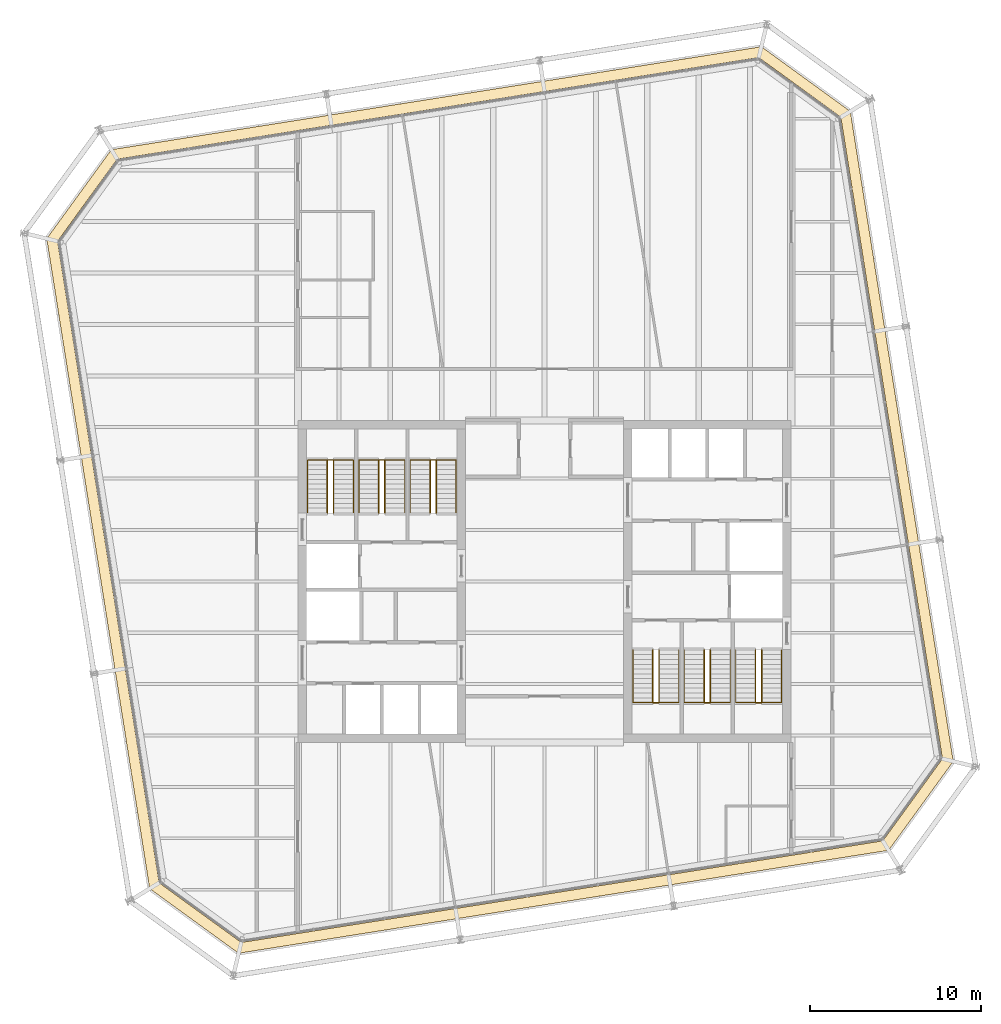
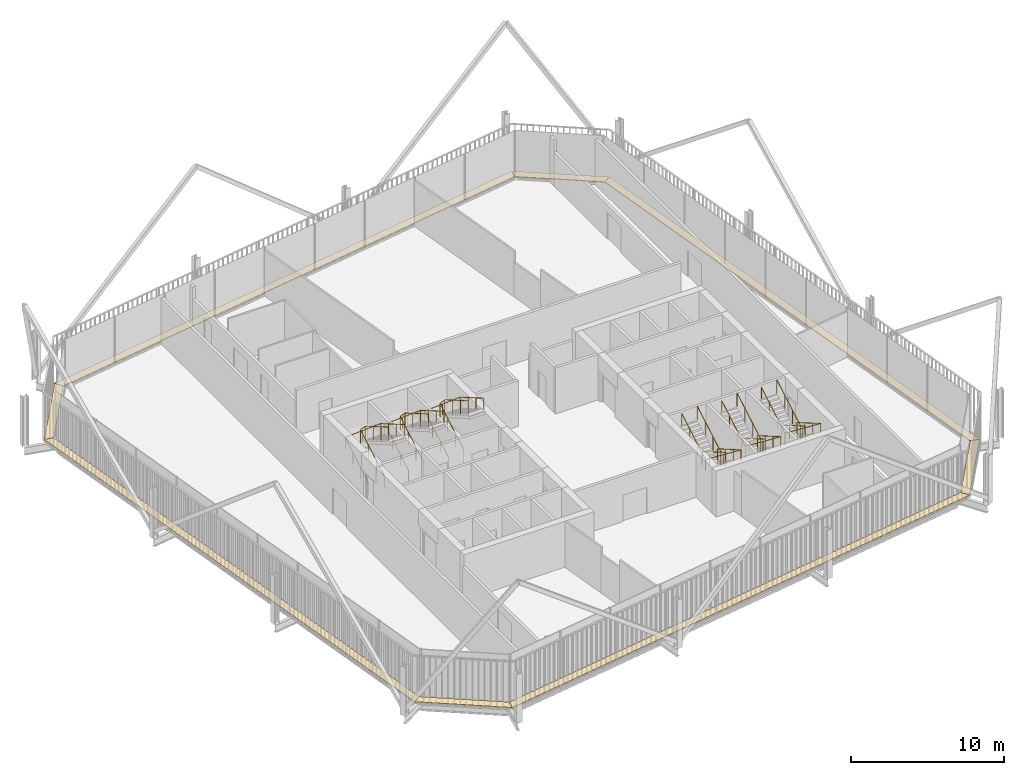
# One storey, part 21 of 21: 12 railings, 8 coverings.
"""IFC4 building model written with IfcOpenShell, lengths in metres."""

from ifc_helpers import new_model, si_unit, direction, frame, origin, origin_2d, place, context, subcontext, project, spatial, polyline, circle, outline, extrude, material, layer, layer_set, type_object, element, save


model = new_model("IFC4")

# Units and contexts
model_context = context("Model", 3, precision=1e-05, world=origin(), true_north=direction((0.0, 1.0)))
body_context = subcontext(model_context, "Body", "Model", "MODEL_VIEW")
ifc_project = project(units=[si_unit("LENGTHUNIT", "METRE"), si_unit("AREAUNIT", "SQUARE_METRE"), si_unit("VOLUMEUNIT", "CUBIC_METRE"), si_unit("PLANEANGLEUNIT", "RADIAN"), si_unit("MASSUNIT", "GRAM", prefix="KILO")], contexts=[model_context])

# Site, building, storey
site_placement = place(None, origin())
site = spatial("IfcSite", under=ifc_project, at=site_placement, CompositionType="ELEMENT")
building_placement = place(site_placement, origin())
building = spatial("IfcBuilding", under=site, at=building_placement, Name="Millrace Tower", CompositionType="ELEMENT")
storey_placement = place(building_placement, frame((0.0, 0.0, 235.89990234375)))
storey = spatial("IfcBuildingStorey", under=building, at=storey_placement, Name="L54", CompositionType="ELEMENT", Elevation=235.89990234375)

# Coverings
ifc_material_1 = material(Name="Steel ASTM A36", Category="steel")
ifc_layer = layer(ifc_material_1, 0.050048828125)
ifc_layer_set = layer_set([ifc_layer], Name="Steel ASTM A36")
covering_type = type_object("IfcCoveringType", Name="CAVITY CATWALK steel grating", PredefinedType="FLOORING", material=ifc_layer_set)
placement = place(storey_placement, frame((0.0, 0.0, 0.10009765625)))
element("IfcCovering", 1, at=placement, inside=storey, type_object=covering_type, Name="Cavity catwalk grating D-F01 L54 1", PredefinedType="FLOORING", context=body_context, shape_type="SweptSolid", body=[
    extrude(outline(polyline([(-23.052490234375, -17.939453125), (-17.85888671875, -21.712890625), (-17.707275390625, -21.081298828125), (-22.49853515625, -17.60009765625), (-23.052490234375, -17.939453125)])), origin(), (0.0, 0.0, 1.0), 0.050048828125),
])
element("IfcCovering", 2, at=placement, inside=storey, type_object=covering_type, Name="Cavity catwalk grating D-F02 L54 1", PredefinedType="FLOORING", context=body_context, shape_type="SweptSolid", body=[
    extrude(outline(polyline([(-17.85888671875, -21.712890625), (20.08935546875, -15.702392578125), (19.750244140625, -15.148681640625), (-17.707275390625, -21.081298828125), (-17.85888671875, -21.712890625)])), origin(), (0.0, 0.0, 1.0), 0.050048828125),
])
element("IfcCovering", 3, at=placement, inside=storey, type_object=covering_type, Name="Cavity catwalk grating D-F03 L54 1", PredefinedType="FLOORING", context=body_context, shape_type="SweptSolid", body=[
    extrude(outline(polyline([(20.08935546875, -15.702392578125), (23.86279296875, -10.5087890625), (23.231201171875, -10.357177734375), (19.750244140625, -15.148681640625), (20.08935546875, -15.702392578125)])), origin(), (0.0, 0.0, 1.0), 0.050048828125),
])
element("IfcCovering", 4, at=placement, inside=storey, type_object=covering_type, Name="Cavity catwalk grating D-F04 L54 1", PredefinedType="FLOORING", context=body_context, shape_type="SweptSolid", body=[
    extrude(outline(polyline([(23.86279296875, -10.5087890625), (17.852294921875, 27.439453125), (17.298583984375, 27.10009765625), (23.231201171875, -10.357177734375), (23.86279296875, -10.5087890625)])), origin(), (0.0, 0.0, 1.0), 0.050048828125),
])
element("IfcCovering", 5, at=placement, inside=storey, type_object=covering_type, Name="Cavity catwalk grating D-F05 L54 1", PredefinedType="FLOORING", context=body_context, shape_type="SweptSolid", body=[
    extrude(outline(polyline([(17.852294921875, 27.439453125), (12.658935546875, 31.212890625), (12.50732421875, 30.581298828125), (17.298583984375, 27.10009765625), (17.852294921875, 27.439453125)])), origin(), (0.0, 0.0, 1.0), 0.050048828125),
])
element("IfcCovering", 6, at=placement, inside=storey, type_object=covering_type, Name="Cavity catwalk grating D-F06 L54 1", PredefinedType="FLOORING", context=body_context, shape_type="SweptSolid", body=[
    extrude(outline(polyline([(12.658935546875, 31.212890625), (-25.28955078125, 25.202392578125), (-24.9501953125, 24.648681640625), (12.50732421875, 30.581298828125), (12.658935546875, 31.212890625)])), origin(), (0.0, 0.0, 1.0), 0.050048828125),
])
element("IfcCovering", 7, at=placement, inside=storey, type_object=covering_type, Name="Cavity catwalk grating D-F07 L54 1", PredefinedType="FLOORING", context=body_context, shape_type="SweptSolid", body=[
    extrude(outline(polyline([(-25.28955078125, 25.202392578125), (-29.062744140625, 20.0087890625), (-28.431396484375, 19.857177734375), (-24.9501953125, 24.648681640625), (-25.28955078125, 25.202392578125)])), origin(), (0.0, 0.0, 1.0), 0.050048828125),
])
element("IfcCovering", 8, at=placement, inside=storey, type_object=covering_type, Name="Cavity catwalk grating D-F08 L54 1", PredefinedType="FLOORING", context=body_context, shape_type="SweptSolid", body=[
    extrude(outline(polyline([(-29.062744140625, 20.0087890625), (-23.052490234375, -17.939453125), (-22.49853515625, -17.60009765625), (-28.431396484375, 19.857177734375), (-29.062744140625, 20.0087890625)])), origin(), (0.0, 0.0, 1.0), 0.050048828125),
])

# Railings
ifc_material_2 = material(Name="Stainless steel ASTM A240 type 316", Category="steel")
railing_type_1 = type_object("IfcRailingType", Name="Stair guard 1100", PredefinedType="GUARDRAIL", material=ifc_material_2)
for number, where, name in (
    (9, (-12.679931640625, 4.0, 0.16259765625), "Stair guard 1 W L54"),
    (10, (-9.679931640625, 4.0, 0.16259765625), "Stair guard 2 W L54"),
    (11, (-6.679931640625, 4.0, 0.16259765625), "Stair guard 3 W L54"),
):
    element("IfcRailing", number, at=place(storey_placement, frame(where)), inside=storey, type_object=railing_type_1, Name=name, PredefinedType="GUARDRAIL", context=body_context, shape_type="SweptSolid", body=[
        extrude(circle(Radius=0.02392578125, at=origin_2d()), frame((0.0, 0.0, 1.076171875), z_axis=(0.0, 0.864890721111, 0.501960198159), x_axis=(-1.0, 0.0, 0.0)), (0.0, 0.0, 1.0), 3.561279296875),
        extrude(circle(Radius=0.02392578125, at=origin_2d()), frame((0.0, 3.080078125, 2.86376953125), z_axis=(0.91152767309, 0.0, 0.411238739895), x_axis=(0.0, 1.0, 0.0)), (0.0, 0.0, 1.0), 0.394775390625),
        extrude(circle(Radius=0.02392578125, at=origin_2d()), frame((0.35986328125, 3.080078125, 3.02587890625), z_axis=(0.0, -0.864890721111, 0.501960198159), x_axis=(1.0, 0.0, 0.0)), (0.0, 0.0, 1.0), 3.561279296875),
        extrude(circle(Radius=0.02099609375, at=origin_2d()), origin(), (0.0, 0.0, 1.0), 1.052001953125),
        extrude(circle(Radius=0.02099609375, at=origin_2d()), frame((0.0, 1.026611328125, 0.595947265625)), (0.0, 0.0, 1.0), 1.052001953125),
        extrude(circle(Radius=0.02099609375, at=origin_2d()), frame((0.0, 2.053466796875, 1.191650390625)), (0.0, 0.0, 1.0), 1.052001953125),
        extrude(circle(Radius=0.02099609375, at=origin_2d()), frame((0.0, 3.080078125, 1.78759765625)), (0.0, 0.0, 1.0), 1.052001953125),
        extrude(circle(Radius=0.02099609375, at=origin_2d()), frame((0.35986328125, 3.080078125, 1.949951171875)), (0.0, 0.0, 1.0), 1.052001953125),
        extrude(circle(Radius=0.02099609375, at=origin_2d()), frame((0.35986328125, 2.053466796875, 2.5458984375)), (0.0, 0.0, 1.0), 1.052001953125),
        extrude(circle(Radius=0.02099609375, at=origin_2d()), frame((0.35986328125, 1.026611328125, 3.1416015625)), (0.0, 0.0, 1.0), 1.052001953125),
        extrude(circle(Radius=0.02099609375, at=origin_2d()), frame((0.35986328125, 0.0, 3.737548828125)), (0.0, 0.0, 1.0), 1.052001953125),
    ])
for number, where, name in (
    (12, (12.679931640625, -4.0, 0.16259765625), "Stair guard 1 E L54"),
    (13, (9.679931640625, -4.0, 0.16259765625), "Stair guard 2 E L54"),
    (14, (6.679931640625, -4.0, 0.16259765625), "Stair guard 3 E L54"),
):
    element("IfcRailing", number, at=place(storey_placement, frame(where)), inside=storey, type_object=railing_type_1, Name=name, PredefinedType="GUARDRAIL", context=body_context, shape_type="SweptSolid", body=[
        extrude(circle(Radius=0.02392578125, at=origin_2d()), frame((0.0, 0.0, 1.076171875), z_axis=(0.0, -0.864890721111, 0.501960198159), x_axis=(1.0, 0.0, 0.0)), (0.0, 0.0, 1.0), 3.561279296875),
        extrude(circle(Radius=0.02392578125, at=origin_2d()), frame((0.0, -3.080078125, 2.86376953125), z_axis=(-0.91152767309, 0.0, 0.411238739895), x_axis=(0.0, -1.0, 0.0)), (0.0, 0.0, 1.0), 0.394775390625),
        extrude(circle(Radius=0.02392578125, at=origin_2d()), frame((-0.35986328125, -3.080078125, 3.02587890625), z_axis=(0.0, 0.864890721111, 0.501960198159), x_axis=(-1.0, 0.0, 0.0)), (0.0, 0.0, 1.0), 3.561279296875),
        extrude(circle(Radius=0.02099609375, at=origin_2d()), origin(), (0.0, 0.0, 1.0), 1.052001953125),
        extrude(circle(Radius=0.02099609375, at=origin_2d()), frame((0.0, -1.026611328125, 0.595947265625)), (0.0, 0.0, 1.0), 1.052001953125),
        extrude(circle(Radius=0.02099609375, at=origin_2d()), frame((0.0, -2.053466796875, 1.191650390625)), (0.0, 0.0, 1.0), 1.052001953125),
        extrude(circle(Radius=0.02099609375, at=origin_2d()), frame((0.0, -3.080078125, 1.78759765625)), (0.0, 0.0, 1.0), 1.052001953125),
        extrude(circle(Radius=0.02099609375, at=origin_2d()), frame((-0.35986328125, -3.080078125, 1.949951171875)), (0.0, 0.0, 1.0), 1.052001953125),
        extrude(circle(Radius=0.02099609375, at=origin_2d()), frame((-0.35986328125, -2.053466796875, 2.5458984375)), (0.0, 0.0, 1.0), 1.052001953125),
        extrude(circle(Radius=0.02099609375, at=origin_2d()), frame((-0.35986328125, -1.026611328125, 3.1416015625)), (0.0, 0.0, 1.0), 1.052001953125),
        extrude(circle(Radius=0.02099609375, at=origin_2d()), frame((-0.35986328125, 0.0, 3.737548828125)), (0.0, 0.0, 1.0), 1.052001953125),
    ])
ifc_material_3 = material(Name="Stainless steel ASTM A240 type 316", Category="steel")
railing_type_2 = type_object("IfcRailingType", Name="Stair handrail 900", PredefinedType="HANDRAIL", material=ifc_material_3)
railing_1_placement = place(storey_placement, frame((-13.840087890625, 4.0, 0.16259765625)))
element("IfcRailing", 15, at=railing_1_placement, inside=storey, type_object=railing_type_2, Name="Stair handrail 1 W L54", PredefinedType="HANDRAIL", context=body_context, shape_type="SweptSolid", body=[
    extrude(circle(Radius=0.02392578125, at=origin_2d()), frame((0.0, 0.0, 0.8759765625), z_axis=(0.0, 0.864890721111, 0.501960198159), x_axis=(-1.0, 0.0, 0.0)), (0.0, 0.0, 1.0), 3.561279296875),
    extrude(circle(Radius=0.02392578125, at=origin_2d()), frame((0.0, 3.080078125, 2.66357421875), z_axis=(0.998170326313, 0.0, 0.06046486309), x_axis=(0.0, 1.0, 0.0)), (0.0, 0.0, 1.0), 2.68505859375),
    extrude(circle(Radius=0.02392578125, at=origin_2d()), frame((2.68017578125, 3.080078125, 2.82568359375), z_axis=(0.0, -0.864890721111, 0.501960198159), x_axis=(1.0, 0.0, 0.0)), (0.0, 0.0, 1.0), 3.561279296875),
    extrude(circle(Radius=0.02099609375, at=origin_2d()), origin(), (0.0, 0.0, 1.0), 0.851806640625),
    extrude(circle(Radius=0.02099609375, at=origin_2d()), frame((0.0, 1.026611328125, 0.595947265625)), (0.0, 0.0, 1.0), 0.851806640625),
    extrude(circle(Radius=0.02099609375, at=origin_2d()), frame((0.0, 2.053466796875, 1.191650390625)), (0.0, 0.0, 1.0), 0.851806640625),
    extrude(circle(Radius=0.02099609375, at=origin_2d()), frame((0.0, 3.080078125, 1.78759765625)), (0.0, 0.0, 1.0), 0.851806640625),
    extrude(circle(Radius=0.02099609375, at=origin_2d()), frame((1.340087890625, 3.080078125, 1.86865234375)), (0.0, 0.0, 1.0), 0.851806640625),
    extrude(circle(Radius=0.02099609375, at=origin_2d()), frame((2.68017578125, 3.080078125, 1.949951171875)), (0.0, 0.0, 1.0), 0.851806640625),
    extrude(circle(Radius=0.02099609375, at=origin_2d()), frame((2.68017578125, 2.053466796875, 2.5458984375)), (0.0, 0.0, 1.0), 0.851806640625),
    extrude(circle(Radius=0.02099609375, at=origin_2d()), frame((2.68017578125, 1.026611328125, 3.1416015625)), (0.0, 0.0, 1.0), 0.851806640625),
    extrude(circle(Radius=0.02099609375, at=origin_2d()), frame((2.68017578125, 0.0, 3.737548828125)), (0.0, 0.0, 1.0), 0.851806640625),
])
railing_2_placement = place(storey_placement, frame((-10.840087890625, 4.0, 0.16259765625)))
element("IfcRailing", 16, at=railing_2_placement, inside=storey, type_object=railing_type_2, Name="Stair handrail 2 W L54", PredefinedType="HANDRAIL", context=body_context, shape_type="SweptSolid", body=[
    extrude(circle(Radius=0.02392578125, at=origin_2d()), frame((0.0, 0.0, 0.8759765625), z_axis=(0.0, 0.864890721111, 0.501960198159), x_axis=(-1.0, 0.0, 0.0)), (0.0, 0.0, 1.0), 3.561279296875),
    extrude(circle(Radius=0.02392578125, at=origin_2d()), frame((0.0, 3.080078125, 2.66357421875), z_axis=(0.998170326313, 0.0, 0.06046486309), x_axis=(0.0, 1.0, 0.0)), (0.0, 0.0, 1.0), 2.68505859375),
    extrude(circle(Radius=0.02392578125, at=origin_2d()), frame((2.68017578125, 3.080078125, 2.82568359375), z_axis=(0.0, -0.864890721111, 0.501960198159), x_axis=(1.0, 0.0, 0.0)), (0.0, 0.0, 1.0), 3.561279296875),
    extrude(circle(Radius=0.02099609375, at=origin_2d()), origin(), (0.0, 0.0, 1.0), 0.851806640625),
    extrude(circle(Radius=0.02099609375, at=origin_2d()), frame((0.0, 1.026611328125, 0.595947265625)), (0.0, 0.0, 1.0), 0.851806640625),
    extrude(circle(Radius=0.02099609375, at=origin_2d()), frame((0.0, 2.053466796875, 1.191650390625)), (0.0, 0.0, 1.0), 0.851806640625),
    extrude(circle(Radius=0.02099609375, at=origin_2d()), frame((0.0, 3.080078125, 1.78759765625)), (0.0, 0.0, 1.0), 0.851806640625),
    extrude(circle(Radius=0.02099609375, at=origin_2d()), frame((1.340087890625, 3.080078125, 1.86865234375)), (0.0, 0.0, 1.0), 0.851806640625),
    extrude(circle(Radius=0.02099609375, at=origin_2d()), frame((2.68017578125, 3.080078125, 1.949951171875)), (0.0, 0.0, 1.0), 0.851806640625),
    extrude(circle(Radius=0.02099609375, at=origin_2d()), frame((2.68017578125, 2.053466796875, 2.5458984375)), (0.0, 0.0, 1.0), 0.851806640625),
    extrude(circle(Radius=0.02099609375, at=origin_2d()), frame((2.68017578125, 1.026611328125, 3.1416015625)), (0.0, 0.0, 1.0), 0.851806640625),
    extrude(circle(Radius=0.02099609375, at=origin_2d()), frame((2.68017578125, 0.0, 3.737548828125)), (0.0, 0.0, 1.0), 0.851806640625),
])
railing_3_placement = place(storey_placement, frame((-7.840087890625, 4.0, 0.16259765625)))
element("IfcRailing", 17, at=railing_3_placement, inside=storey, type_object=railing_type_2, Name="Stair handrail 3 W L54", PredefinedType="HANDRAIL", context=body_context, shape_type="SweptSolid", body=[
    extrude(circle(Radius=0.02392578125, at=origin_2d()), frame((0.0, 0.0, 0.8759765625), z_axis=(0.0, 0.864890721111, 0.501960198159), x_axis=(-1.0, 0.0, 0.0)), (0.0, 0.0, 1.0), 3.561279296875),
    extrude(circle(Radius=0.02392578125, at=origin_2d()), frame((0.0, 3.080078125, 2.66357421875), z_axis=(0.998170326313, 0.0, 0.06046486309), x_axis=(0.0, 1.0, 0.0)), (0.0, 0.0, 1.0), 2.68505859375),
    extrude(circle(Radius=0.02392578125, at=origin_2d()), frame((2.68017578125, 3.080078125, 2.82568359375), z_axis=(0.0, -0.864890721111, 0.501960198159), x_axis=(1.0, 0.0, 0.0)), (0.0, 0.0, 1.0), 3.561279296875),
    extrude(circle(Radius=0.02099609375, at=origin_2d()), origin(), (0.0, 0.0, 1.0), 0.851806640625),
    extrude(circle(Radius=0.02099609375, at=origin_2d()), frame((0.0, 1.026611328125, 0.595947265625)), (0.0, 0.0, 1.0), 0.851806640625),
    extrude(circle(Radius=0.02099609375, at=origin_2d()), frame((0.0, 2.053466796875, 1.191650390625)), (0.0, 0.0, 1.0), 0.851806640625),
    extrude(circle(Radius=0.02099609375, at=origin_2d()), frame((0.0, 3.080078125, 1.78759765625)), (0.0, 0.0, 1.0), 0.851806640625),
    extrude(circle(Radius=0.02099609375, at=origin_2d()), frame((1.340087890625, 3.080078125, 1.86865234375)), (0.0, 0.0, 1.0), 0.851806640625),
    extrude(circle(Radius=0.02099609375, at=origin_2d()), frame((2.68017578125, 3.080078125, 1.949951171875)), (0.0, 0.0, 1.0), 0.851806640625),
    extrude(circle(Radius=0.02099609375, at=origin_2d()), frame((2.68017578125, 2.053466796875, 2.5458984375)), (0.0, 0.0, 1.0), 0.851806640625),
    extrude(circle(Radius=0.02099609375, at=origin_2d()), frame((2.68017578125, 1.026611328125, 3.1416015625)), (0.0, 0.0, 1.0), 0.851806640625),
    extrude(circle(Radius=0.02099609375, at=origin_2d()), frame((2.68017578125, 0.0, 3.737548828125)), (0.0, 0.0, 1.0), 0.851806640625),
])
railing_4_placement = place(storey_placement, frame((13.840087890625, -4.0, 0.16259765625)))
element("IfcRailing", 18, at=railing_4_placement, inside=storey, type_object=railing_type_2, Name="Stair handrail 1 E L54", PredefinedType="HANDRAIL", context=body_context, shape_type="SweptSolid", body=[
    extrude(circle(Radius=0.02392578125, at=origin_2d()), frame((0.0, 0.0, 0.8759765625), z_axis=(0.0, -0.864890721111, 0.501960198159), x_axis=(1.0, 0.0, 0.0)), (0.0, 0.0, 1.0), 3.561279296875),
    extrude(circle(Radius=0.02392578125, at=origin_2d()), frame((0.0, -3.080078125, 2.66357421875), z_axis=(-0.998170326313, 0.0, 0.06046486309), x_axis=(0.0, -1.0, 0.0)), (0.0, 0.0, 1.0), 2.68505859375),
    extrude(circle(Radius=0.02392578125, at=origin_2d()), frame((-2.68017578125, -3.080078125, 2.82568359375), z_axis=(0.0, 0.864890721111, 0.501960198159), x_axis=(-1.0, 0.0, 0.0)), (0.0, 0.0, 1.0), 3.561279296875),
    extrude(circle(Radius=0.02099609375, at=origin_2d()), origin(), (0.0, 0.0, 1.0), 0.851806640625),
    extrude(circle(Radius=0.02099609375, at=origin_2d()), frame((0.0, -1.026611328125, 0.595947265625)), (0.0, 0.0, 1.0), 0.851806640625),
    extrude(circle(Radius=0.02099609375, at=origin_2d()), frame((0.0, -2.053466796875, 1.191650390625)), (0.0, 0.0, 1.0), 0.851806640625),
    extrude(circle(Radius=0.02099609375, at=origin_2d()), frame((0.0, -3.080078125, 1.78759765625)), (0.0, 0.0, 1.0), 0.851806640625),
    extrude(circle(Radius=0.02099609375, at=origin_2d()), frame((-1.340087890625, -3.080078125, 1.86865234375)), (0.0, 0.0, 1.0), 0.851806640625),
    extrude(circle(Radius=0.02099609375, at=origin_2d()), frame((-2.68017578125, -3.080078125, 1.949951171875)), (0.0, 0.0, 1.0), 0.851806640625),
    extrude(circle(Radius=0.02099609375, at=origin_2d()), frame((-2.68017578125, -2.053466796875, 2.5458984375)), (0.0, 0.0, 1.0), 0.851806640625),
    extrude(circle(Radius=0.02099609375, at=origin_2d()), frame((-2.68017578125, -1.026611328125, 3.1416015625)), (0.0, 0.0, 1.0), 0.851806640625),
    extrude(circle(Radius=0.02099609375, at=origin_2d()), frame((-2.68017578125, 0.0, 3.737548828125)), (0.0, 0.0, 1.0), 0.851806640625),
])
railing_5_placement = place(storey_placement, frame((10.840087890625, -4.0, 0.16259765625)))
element("IfcRailing", 19, at=railing_5_placement, inside=storey, type_object=railing_type_2, Name="Stair handrail 2 E L54", PredefinedType="HANDRAIL", context=body_context, shape_type="SweptSolid", body=[
    extrude(circle(Radius=0.02392578125, at=origin_2d()), frame((0.0, 0.0, 0.8759765625), z_axis=(0.0, -0.864890721111, 0.501960198159), x_axis=(1.0, 0.0, 0.0)), (0.0, 0.0, 1.0), 3.561279296875),
    extrude(circle(Radius=0.02392578125, at=origin_2d()), frame((0.0, -3.080078125, 2.66357421875), z_axis=(-0.998170326313, 0.0, 0.06046486309), x_axis=(0.0, -1.0, 0.0)), (0.0, 0.0, 1.0), 2.68505859375),
    extrude(circle(Radius=0.02392578125, at=origin_2d()), frame((-2.68017578125, -3.080078125, 2.82568359375), z_axis=(0.0, 0.864890721111, 0.501960198159), x_axis=(-1.0, 0.0, 0.0)), (0.0, 0.0, 1.0), 3.561279296875),
    extrude(circle(Radius=0.02099609375, at=origin_2d()), origin(), (0.0, 0.0, 1.0), 0.851806640625),
    extrude(circle(Radius=0.02099609375, at=origin_2d()), frame((0.0, -1.026611328125, 0.595947265625)), (0.0, 0.0, 1.0), 0.851806640625),
    extrude(circle(Radius=0.02099609375, at=origin_2d()), frame((0.0, -2.053466796875, 1.191650390625)), (0.0, 0.0, 1.0), 0.851806640625),
    extrude(circle(Radius=0.02099609375, at=origin_2d()), frame((0.0, -3.080078125, 1.78759765625)), (0.0, 0.0, 1.0), 0.851806640625),
    extrude(circle(Radius=0.02099609375, at=origin_2d()), frame((-1.340087890625, -3.080078125, 1.86865234375)), (0.0, 0.0, 1.0), 0.851806640625),
    extrude(circle(Radius=0.02099609375, at=origin_2d()), frame((-2.68017578125, -3.080078125, 1.949951171875)), (0.0, 0.0, 1.0), 0.851806640625),
    extrude(circle(Radius=0.02099609375, at=origin_2d()), frame((-2.68017578125, -2.053466796875, 2.5458984375)), (0.0, 0.0, 1.0), 0.851806640625),
    extrude(circle(Radius=0.02099609375, at=origin_2d()), frame((-2.68017578125, -1.026611328125, 3.1416015625)), (0.0, 0.0, 1.0), 0.851806640625),
    extrude(circle(Radius=0.02099609375, at=origin_2d()), frame((-2.68017578125, 0.0, 3.737548828125)), (0.0, 0.0, 1.0), 0.851806640625),
])
railing_6_placement = place(storey_placement, frame((7.840087890625, -4.0, 0.16259765625)))
element("IfcRailing", 20, at=railing_6_placement, inside=storey, type_object=railing_type_2, Name="Stair handrail 3 E L54", PredefinedType="HANDRAIL", context=body_context, shape_type="SweptSolid", body=[
    extrude(circle(Radius=0.02392578125, at=origin_2d()), frame((0.0, 0.0, 0.8759765625), z_axis=(0.0, -0.864890721111, 0.501960198159), x_axis=(1.0, 0.0, 0.0)), (0.0, 0.0, 1.0), 3.561279296875),
    extrude(circle(Radius=0.02392578125, at=origin_2d()), frame((0.0, -3.080078125, 2.66357421875), z_axis=(-0.998170326313, 0.0, 0.06046486309), x_axis=(0.0, -1.0, 0.0)), (0.0, 0.0, 1.0), 2.68505859375),
    extrude(circle(Radius=0.02392578125, at=origin_2d()), frame((-2.68017578125, -3.080078125, 2.82568359375), z_axis=(0.0, 0.864890721111, 0.501960198159), x_axis=(-1.0, 0.0, 0.0)), (0.0, 0.0, 1.0), 3.561279296875),
    extrude(circle(Radius=0.02099609375, at=origin_2d()), origin(), (0.0, 0.0, 1.0), 0.851806640625),
    extrude(circle(Radius=0.02099609375, at=origin_2d()), frame((0.0, -1.026611328125, 0.595947265625)), (0.0, 0.0, 1.0), 0.851806640625),
    extrude(circle(Radius=0.02099609375, at=origin_2d()), frame((0.0, -2.053466796875, 1.191650390625)), (0.0, 0.0, 1.0), 0.851806640625),
    extrude(circle(Radius=0.02099609375, at=origin_2d()), frame((0.0, -3.080078125, 1.78759765625)), (0.0, 0.0, 1.0), 0.851806640625),
    extrude(circle(Radius=0.02099609375, at=origin_2d()), frame((-1.340087890625, -3.080078125, 1.86865234375)), (0.0, 0.0, 1.0), 0.851806640625),
    extrude(circle(Radius=0.02099609375, at=origin_2d()), frame((-2.68017578125, -3.080078125, 1.949951171875)), (0.0, 0.0, 1.0), 0.851806640625),
    extrude(circle(Radius=0.02099609375, at=origin_2d()), frame((-2.68017578125, -2.053466796875, 2.5458984375)), (0.0, 0.0, 1.0), 0.851806640625),
    extrude(circle(Radius=0.02099609375, at=origin_2d()), frame((-2.68017578125, -1.026611328125, 3.1416015625)), (0.0, 0.0, 1.0), 0.851806640625),
    extrude(circle(Radius=0.02099609375, at=origin_2d()), frame((-2.68017578125, 0.0, 3.737548828125)), (0.0, 0.0, 1.0), 0.851806640625),
])

save(model, "model.ifc")
